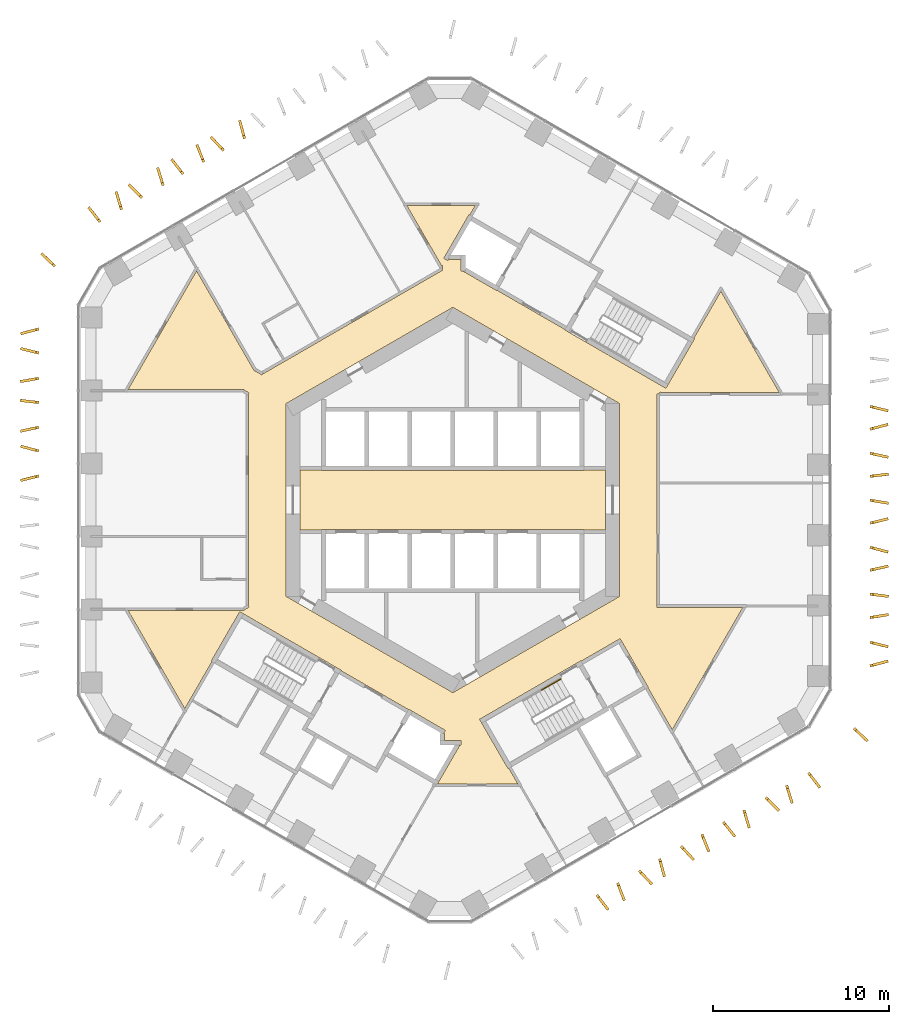
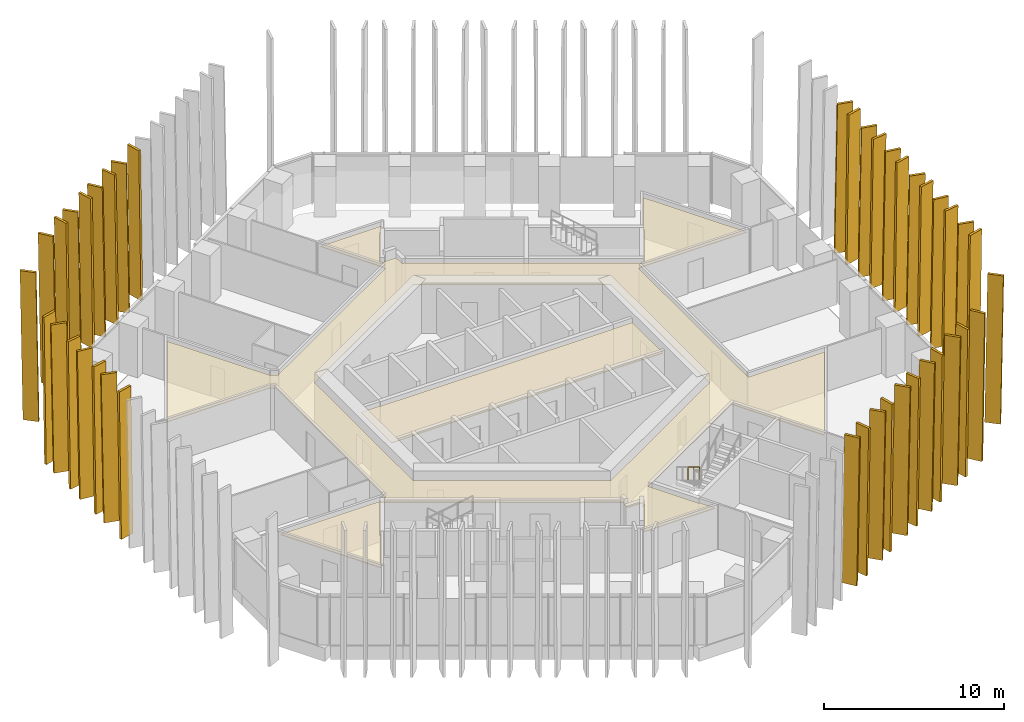
# One storey, part 19 of 20: 40 shading devices, 2 coverings, 1 railing.
"""IFC4 building model written with IfcOpenShell, lengths in metres."""

from ifc_helpers import new_model, si_unit, direction, frame, origin, origin_2d, place, context, subcontext, project, spatial, polyline, circle, outline, extrude, material, layer, layer_set, type_object, element, save


model = new_model("IFC4")

# Units and contexts
model_context = context("Model", 3, precision=1e-05, world=origin(), true_north=direction((0.0, 1.0)))
body_context = subcontext(model_context, "Body", "Model", "MODEL_VIEW")
ifc_project = project(units=[si_unit("LENGTHUNIT", "METRE"), si_unit("AREAUNIT", "SQUARE_METRE"), si_unit("VOLUMEUNIT", "CUBIC_METRE"), si_unit("PLANEANGLEUNIT", "RADIAN"), si_unit("MASSUNIT", "GRAM", prefix="KILO")], contexts=[model_context])

# Site, building, storey
site_placement = place(None, origin())
site = spatial("IfcSite", under=ifc_project, at=site_placement, CompositionType="ELEMENT")
building_placement = place(site_placement, origin())
building = spatial("IfcBuilding", under=site, at=building_placement, Name="Ayvan Gate Tower", CompositionType="ELEMENT")
storey_placement = place(building_placement, frame((0.0, 0.0, 35.699951171875)))
storey = spatial("IfcBuildingStorey", under=building, at=storey_placement, Name="L08", CompositionType="ELEMENT", Elevation=35.699951171875)

# Shading devices
ifc_material_1 = material(Name="Bronze anodised aluminium", Category="aluminium")
ifc_layer_1 = layer(ifc_material_1, 0.14990234375)
ifc_layer_set_1 = layer_set([ifc_layer_1], Name="Bronze anodised aluminium")
shading_device_type = type_object("IfcShadingDeviceType", Name="Bronze fin 900 x 150", PredefinedType="USERDEFINED", material=ifc_layer_set_1)
shading_device_1_placement = place(storey_placement, frame((-11.787353515625, 20.5966796875, 0.0), z_axis=(0.965903234069, 0.258903295962, 0.000160481772), x_axis=(-0.258903299299, 0.965903246507, 2.1022e-08)))
element("IfcShadingDevice", 1, at=shading_device_1_placement, inside=storey, type_object=shading_device_type, Name="Bronze fin FG02.1.8", ObjectType="FIN", PredefinedType="USERDEFINED", context=body_context, shape_type="SweptSolid", body=[
    extrude(outline(polyline([(0.0, 0.0), (0.9001059842872889, -6.776263578034403e-21), (1.067076299516622, 10.080078232371017), (0.1670335240426385, 10.080078270213892), (0.0, 0.0)])), origin(), (0.0, 0.0, -1.0), 0.14990234375),
])
shading_device_2_placement = place(storey_placement, frame((-12.991943359375, 19.94384765625, 0.0), z_axis=(0.729131032332, 0.684374105124, 0.000148076832), x_axis=(-0.684374112627, 0.729131040325, 0.0)))
element("IfcShadingDevice", 2, at=shading_device_2_placement, inside=storey, type_object=shading_device_type, Name="Bronze fin FG02.1.9", ObjectType="FIN", PredefinedType="USERDEFINED", context=body_context, shape_type="SweptSolid", body=[
    extrude(outline(polyline([(0.0, 0.0), (0.9000439752325704, 0.0), (1.0671896832974253, 10.08007823551167), (0.16714570806485485, 10.08007823551167), (0.0, 0.0)])), origin(), (0.0, 0.0, -1.0), 0.14990234375),
])
shading_device_3_placement = place(storey_placement, frame((-14.11328125, 19.265380859375, 0.0), z_axis=(0.929845274917, 0.367950733788, 0.000149060092), x_axis=(-0.367950737878, 0.929845285246, 1.8797e-08)))
element("IfcShadingDevice", 3, at=shading_device_3_placement, inside=storey, type_object=shading_device_type, Name="Bronze fin FG02.1.10", ObjectType="FIN", PredefinedType="USERDEFINED", context=body_context, shape_type="SweptSolid", body=[
    extrude(outline(polyline([(0.0, 0.0), (0.9001022434387806, 0.0), (1.0671154335204562, 10.080078216925534), (0.16710302180479047, 10.080078250762426), (0.0, 0.0)])), origin(), (0.0, 0.0, -1.0), 0.14990234375),
])
shading_device_4_placement = place(storey_placement, frame((-15.298828125, 18.605712890625, 0.0), z_axis=(0.787610878537, 0.616172932873, 0.000144241284), x_axis=(-0.616172939283, 0.78761088673, 3.353e-09)))
element("IfcShadingDevice", 4, at=shading_device_4_placement, inside=storey, type_object=shading_device_type, Name="Bronze fin FG02.1.11", ObjectType="FIN", PredefinedType="USERDEFINED", context=body_context, shape_type="SweptSolid", body=[
    extrude(outline(polyline([(0.0, 0.0), (0.9001872395298831, 0.0), (1.067145646509007, 10.080078226282307), (0.16730112763977162, 10.080078232318373), (0.0, 0.0)])), origin(), (0.0, 0.0, -1.0), 0.14990234375),
])
shading_device_5_placement = place(storey_placement, frame((-16.422119140625, 17.924560546875, 0.0), z_axis=(0.956068899392, 0.293142010724, 0.000145477977), x_axis=(-0.293142013824, 0.95606890951, -1.8868e-08)))
element("IfcShadingDevice", 5, at=shading_device_5_placement, inside=storey, type_object=shading_device_type, Name="Bronze fin FG02.1.12", ObjectType="FIN", PredefinedType="USERDEFINED", context=body_context, shape_type="SweptSolid", body=[
    extrude(outline(polyline([(0.0, 0.0), (0.8998486845806556, -6.776263578034403e-21), (1.0670832099096126, 10.080078251800373), (0.16716295745448825, 10.080078217842242), (0.0, 0.0)])), origin(), (0.0, 0.0, -1.0), 0.14990234375),
])
shading_device_6_placement = place(storey_placement, frame((-17.64501953125, 17.259521484375, 0.0), z_axis=(0.707174585255, 0.7070389553, 0.000147163494), x_axis=(-0.707038962958, 0.707174592911, 1.4114e-08)))
element("IfcShadingDevice", 6, at=shading_device_6_placement, inside=storey, type_object=shading_device_type, Name="Bronze fin FG02.1.13", ObjectType="FIN", PredefinedType="USERDEFINED", context=body_context, shape_type="SweptSolid", body=[
    extrude(outline(polyline([(0.0, 0.0), (0.9001110205447482, 0.0), (1.0672202493648535, 10.080078219090183), (0.16728184575442104, 10.08007824449553), (0.0, 0.0)])), origin(), (0.0, 0.0, -1.0), 0.14990234375),
])
shading_device_7_placement = place(storey_placement, frame((-18.79248046875, 16.555419921875, 0.0), z_axis=(0.957527130096, 0.288343155607, 0.000140515008), x_axis=(-0.288343158453, 0.957527139549, 0.0)))
element("IfcShadingDevice", 7, at=shading_device_7_placement, inside=storey, type_object=shading_device_type, Name="Bronze fin FG02.1.14", ObjectType="FIN", PredefinedType="USERDEFINED", context=body_context, shape_type="SweptSolid", body=[
    extrude(outline(polyline([(0.0, 0.0), (0.9000438427842659, 0.0), (1.0672207007996868, 10.080078224512889), (0.16717685801542093, 10.080078224512889), (0.0, 0.0)])), origin(), (0.0, 0.0, -1.0), 0.14990234375),
])
shading_device_8_placement = place(storey_placement, frame((-20.0224609375, 15.87890625, 0.0), z_axis=(0.784559802436, 0.620053140318, 0.000139939084), x_axis=(-0.62005314639, 0.784559810117, 1.1769e-08)))
element("IfcShadingDevice", 8, at=shading_device_8_placement, inside=storey, type_object=shading_device_type, Name="Bronze fin FG02.1.15", ObjectType="FIN", PredefinedType="USERDEFINED", context=body_context, shape_type="SweptSolid", body=[
    extrude(outline(polyline([(0.0, 0.0), (0.8999971834735883, 0.0), (1.067223312457859, 10.080078211138748), (0.16703458606187888, 10.080078232325004), (0.0, 0.0)])), origin(), (0.0, 0.0, -1.0), 0.14990234375),
])
shading_device_9_placement = place(storey_placement, frame((-22.605712890625, 13.359619140625, 0.0), z_axis=(0.690088544255, 0.723724935563, 0.000136865766), x_axis=(-0.723724942342, 0.690088550718, 0.0)))
element("IfcShadingDevice", 9, at=shading_device_9_placement, inside=storey, type_object=shading_device_type, Name="Bronze fin FG02.2.16", ObjectType="FIN", PredefinedType="USERDEFINED", context=body_context, shape_type="SweptSolid", body=[
    extrude(outline(polyline([(0.0, 0.0), (0.9000203660144157, 0.0), (1.0670370134667295, 10.080078219411213), (0.16701664745231398, 10.080078219411213), (0.0, 0.0)])), origin(), (0.0, 0.0, -1.0), 0.14990234375),
])
shading_device_10_placement = place(storey_placement, frame((-23.591552734375, 9.81298828125, 0.0), z_axis=(-0.256041654658, 0.966665738562, 0.000144812212), x_axis=(-0.966665748698, -0.256041657343, 0.0)))
element("IfcShadingDevice", 10, at=shading_device_10_placement, inside=storey, type_object=shading_device_type, Name="Bronze fin FG02.3.17", ObjectType="FIN", PredefinedType="USERDEFINED", context=body_context, shape_type="SweptSolid", body=[
    extrude(outline(polyline([(0.0, 0.0), (0.9001220832250882, 0.0), (1.067197994875353, 10.080078230692527), (0.16707591165026484, 10.080078230692527), (0.0, 0.0)])), origin(), (0.0, 0.0, -1.0), 0.14990234375),
])
shading_device_11_placement = place(storey_placement, frame((-23.554443359375, 8.437255859375, 0.0), z_axis=(0.242280262921, 0.970206293624, 0.000148363886), x_axis=(-0.970206304302, 0.242280265588, 0.0)))
element("IfcShadingDevice", 11, at=shading_device_11_placement, inside=storey, type_object=shading_device_type, Name="Bronze fin FG02.3.18", ObjectType="FIN", PredefinedType="USERDEFINED", context=body_context, shape_type="SweptSolid", body=[
    extrude(outline(polyline([(0.0, 0.0), (0.8998569388068062, 0.0), (1.0670742828397557, 10.080078235940547), (0.16721734403294952, 10.080078235940547), (0.0, 0.0)])), origin(), (0.0, 0.0, -1.0), 0.14990234375),
])
shading_device_12_placement = place(storey_placement, frame((-23.58642578125, 7.000244140625, 0.0), z_axis=(-0.170224854779, 0.985405235034, 0.000146911974), x_axis=(-0.985405245667, -0.170224856619, 2.303e-08)))
element("IfcShadingDevice", 12, at=shading_device_12_placement, inside=storey, type_object=shading_device_type, Name="Bronze fin FG02.3.19", ObjectType="FIN", PredefinedType="USERDEFINED", context=body_context, shape_type="SweptSolid", body=[
    extrude(outline(polyline([(0.0, 0.0), (0.8998762358938277, 3.3881317890172014e-21), (1.067095845017504, 10.080078209204066), (0.16702059047400628, 10.080078250657845), (0.0, 0.0)])), origin(), (0.0, 0.0, -1.0), 0.14990234375),
])
shading_device_13_placement = place(storey_placement, frame((-23.5654296875, 5.622802734375, 0.0), z_axis=(0.115684456841, 0.993286004575, 0.00013986131), x_axis=(-0.99328601429, 0.11568445797, 1.8841e-08)))
element("IfcShadingDevice", 13, at=shading_device_13_placement, inside=storey, type_object=shading_device_type, Name="Bronze fin FG02.3.20", ObjectType="FIN", PredefinedType="USERDEFINED", context=body_context, shape_type="SweptSolid", body=[
    extrude(outline(polyline([(0.0, 0.0), (0.9000720125550132, 0.0), (1.0673057048230457, 10.080078203480001), (0.16720544899216105, 10.080078237397107), (0.0, 0.0)])), origin(), (0.0, 0.0, -1.0), 0.14990234375),
])
shading_device_14_placement = place(storey_placement, frame((-23.5888671875, 4.214599609375, 0.0), z_axis=(-0.208231898754, 0.978079472325, 0.000148854226), x_axis=(-0.97807948316, -0.208231901064, 1.975e-08)))
element("IfcShadingDevice", 14, at=shading_device_14_placement, inside=storey, type_object=shading_device_type, Name="Bronze fin FG02.3.21", ObjectType="FIN", PredefinedType="USERDEFINED", context=body_context, shape_type="SweptSolid", body=[
    extrude(outline(polyline([(0.0, 0.0), (0.8998775968775182, 0.0), (1.0669128096550808, 10.080078215603798), (0.16708605064403326, 10.080078251147537), (0.0, 0.0)])), origin(), (0.0, 0.0, -1.0), 0.14990234375),
])
shading_device_15_placement = place(storey_placement, frame((-23.55322265625, 2.8603515625, 0.0), z_axis=(0.256235549641, 0.966614360372, 0.000146362995), x_axis=(-0.966614370726, 0.256235552383, 1.9191e-08)))
element("IfcShadingDevice", 15, at=shading_device_15_placement, inside=storey, type_object=shading_device_type, Name="Bronze fin FG02.3.22", ObjectType="FIN", PredefinedType="USERDEFINED", context=body_context, shape_type="SweptSolid", body=[
    extrude(outline(polyline([(0.0, 0.0), (0.8998860752802869, -6.776263578034403e-21), (1.0669823067431834, 10.080078212491454), (0.16703367395499055, 10.080078247032835), (0.0, 0.0)])), origin(), (0.0, 0.0, -1.0), 0.14990234375),
])
shading_device_16_placement = place(storey_placement, frame((-23.5908203125, 1.441650390625, 0.0), z_axis=(-0.242790931619, 0.970078627339, 0.000142490221), x_axis=(-0.970078637187, -0.242790934083, 0.0)))
element("IfcShadingDevice", 16, at=shading_device_16_placement, inside=storey, type_object=shading_device_type, Name="Bronze fin FG02.3.23", ObjectType="FIN", PredefinedType="USERDEFINED", context=body_context, shape_type="SweptSolid", body=[
    extrude(outline(polyline([(0.0, 0.0), (0.8999753644008668, -6.776263578034403e-21), (1.0671926927986783, 10.080078227330251), (0.16721732839781167, 10.080078227330251), (0.0, 0.0)])), origin(), (0.0, 0.0, -1.0), 0.14990234375),
])
shading_device_17_placement = place(storey_placement, frame((8.13671875, -22.53466796875, 0.0), z_axis=(-0.792946579389, -0.609291145162, 0.000150540817), x_axis=(0.609291152066, -0.792946588374, 0.0)))
element("IfcShadingDevice", 17, at=shading_device_17_placement, inside=storey, type_object=shading_device_type, Name="Bronze fin FG02.7.53", ObjectType="FIN", PredefinedType="USERDEFINED", context=body_context, shape_type="SweptSolid", body=[
    extrude(outline(polyline([(0.0, 0.0), (0.8999635755267726, 0.0), (1.0670824908845553, 10.080078239220077), (0.16711891535778267, 10.080078239220077), (0.0, 0.0)])), origin(), (0.0, 0.0, -1.0), 0.14990234375),
])
shading_device_18_placement = place(storey_placement, frame((9.30859375, -21.8330078125, 0.0), z_axis=(-0.933079688041, -0.359669670449, 0.000154673779), x_axis=(0.359669674751, -0.933079699203, 0.0)))
element("IfcShadingDevice", 18, at=shading_device_18_placement, inside=storey, type_object=shading_device_type, Name="Bronze fin FG02.7.54", ObjectType="FIN", PredefinedType="USERDEFINED", context=body_context, shape_type="SweptSolid", body=[
    extrude(outline(polyline([(0.0, 0.0), (0.9000771860297079, 6.776263578034403e-21), (1.067087793141591, 10.080078245577784), (0.16701060711188323, 10.080078245577784), (0.0, 0.0)])), origin(), (0.0, 0.0, -1.0), 0.14990234375),
])
shading_device_19_placement = place(storey_placement, frame((10.5458984375, -21.15087890625, 0.0), z_axis=(-0.725310874745, -0.688421466007, 0.000141837668), x_axis=(0.688421472932, -0.725310882041, 0.0)))
element("IfcShadingDevice", 19, at=shading_device_19_placement, inside=storey, type_object=shading_device_type, Name="Bronze fin FG02.7.55", ObjectType="FIN", PredefinedType="USERDEFINED", context=body_context, shape_type="SweptSolid", body=[
    extrude(outline(polyline([(0.0, 0.0), (0.9000720207219932, 0.0), (1.0673735065524417, 10.080078226395125), (0.1673014858304484, 10.080078226395125), (0.0, 0.0)])), origin(), (0.0, 0.0, -1.0), 0.14990234375),
])
shading_device_20_placement = place(storey_placement, frame((11.6982421875, -20.442626953125, 0.0), z_axis=(-0.965860212433, -0.259063755898, 0.00014289556), x_axis=(0.259063758542, -0.965860222294, -5.02e-09)))
element("IfcShadingDevice", 20, at=shading_device_20_placement, inside=storey, type_object=shading_device_type, Name="Bronze fin FG02.7.56", ObjectType="FIN", PredefinedType="USERDEFINED", context=body_context, shape_type="SweptSolid", body=[
    extrude(outline(polyline([(0.0, 0.0), (0.9001059914543592, 0.0), (1.0670762910200555, 10.080078233270463), (0.16720610528402996, 10.080078224233791), (0.0, 0.0)])), origin(), (0.0, 0.0, -1.0), 0.14990234375),
])
shading_device_21_placement = place(storey_placement, frame((12.943603515625, -19.765869140625, 0.0), z_axis=(-0.733778195775, -0.67938909106, 0.000149513068), x_axis=(0.679389098652, -0.733778203978, -1.4882e-08)))
element("IfcShadingDevice", 21, at=shading_device_21_placement, inside=storey, type_object=shading_device_type, Name="Bronze fin FG02.7.57", ObjectType="FIN", PredefinedType="USERDEFINED", context=body_context, shape_type="SweptSolid", body=[
    extrude(outline(polyline([(0.0, 0.0), (0.8999170763633888, 0.0), (1.0670884160882872, 10.080078253545881), (0.1670054732457353, 10.080078226758884), (0.0, 0.0)])), origin(), (0.0, 0.0, -1.0), 0.14990234375),
])
shading_device_22_placement = place(storey_placement, frame((14.1083984375, -19.063720703125, 0.0), z_axis=(-0.925577192777, -0.378558901676, 0.000134807732), x_axis=(0.378558905114, -0.925577201188, -1.6925e-08)))
element("IfcShadingDevice", 22, at=shading_device_22_placement, inside=storey, type_object=shading_device_type, Name="Bronze fin FG02.7.58", ObjectType="FIN", PredefinedType="USERDEFINED", context=body_context, shape_type="SweptSolid", body=[
    extrude(outline(polyline([(0.0, 0.0), (0.8999411823943508, 0.0), (1.0672464075445252, 10.080078234656186), (0.16721280354248055, 10.080078204191985), (0.0, 0.0)])), origin(), (0.0, 0.0, -1.0), 0.14990234375),
])
shading_device_23_placement = place(storey_placement, frame((15.335693359375, -18.379638671875, 0.0), z_axis=(-0.780233289745, -0.625488602869, 0.00014578838), x_axis=(0.625488609515, -0.780233298038, -1.2366e-08)))
element("IfcShadingDevice", 23, at=shading_device_23_placement, inside=storey, type_object=shading_device_type, Name="Bronze fin FG02.7.59", ObjectType="FIN", PredefinedType="USERDEFINED", context=body_context, shape_type="SweptSolid", body=[
    extrude(outline(polyline([(0.0, 0.0), (0.9001728349600663, -1.3552527156068805e-20), (1.067252841140706, 10.080078245319825), (0.16727049282566867, 10.080078223059248), (0.0, 0.0)])), origin(), (0.0, 0.0, -1.0), 0.14990234375),
])
shading_device_24_placement = place(storey_placement, frame((16.4990234375, -17.673828125, 0.0), z_axis=(-0.958243414593, -0.285953725646, 0.000158676448), x_axis=(0.285953729246, -0.958243426657, 0.0)))
element("IfcShadingDevice", 24, at=shading_device_24_placement, inside=storey, type_object=shading_device_type, Name="Bronze fin FG02.7.60", ObjectType="FIN", PredefinedType="USERDEFINED", context=body_context, shape_type="SweptSolid", body=[
    extrude(outline(polyline([(0.0, 0.0), (0.8998806185487997, 0.0), (1.0669836103312735, 10.08007825189919), (0.16710299178247365, 10.08007825189919), (0.0, 0.0)])), origin(), (0.0, 0.0, -1.0), 0.14990234375),
])
shading_device_25_placement = place(storey_placement, frame((17.7568359375, -16.989501953125, 0.0), z_axis=(-0.707310186928, -0.706903297079, 0.000167471189), x_axis=(0.706903306994, -0.707310196845, 1.6058e-08)))
element("IfcShadingDevice", 25, at=shading_device_25_placement, inside=storey, type_object=shading_device_type, Name="Bronze fin FG02.7.61", ObjectType="FIN", PredefinedType="USERDEFINED", context=body_context, shape_type="SweptSolid", body=[
    extrude(outline(polyline([(0.0, 0.0), (0.8999384036136087, 0.0), (1.067219964799506, 10.080078249218307), (0.16710887803237068, 10.080078278123898), (0.0, 0.0)])), origin(), (0.0, 0.0, -1.0), 0.14990234375),
])
shading_device_26_placement = place(storey_placement, frame((18.931396484375, -16.2705078125, 0.0), z_axis=(-0.955449932083, -0.295153187424, 0.000152434307), x_axis=(0.295153190853, -0.955449943184, 0.0)))
element("IfcShadingDevice", 26, at=shading_device_26_placement, inside=storey, type_object=shading_device_type, Name="Bronze fin FG02.7.62", ObjectType="FIN", PredefinedType="USERDEFINED", context=body_context, shape_type="SweptSolid", body=[
    extrude(outline(polyline([(0.0, 0.0), (0.8999563895361912, -6.776263578034403e-21), (1.067032860887032, 10.08007824211145), (0.16707647135084086, 10.08007824211145), (0.0, 0.0)])), origin(), (0.0, 0.0, -1.0), 0.14990234375),
])
shading_device_27_placement = place(storey_placement, frame((20.186279296875, -15.578125, 0.0), z_axis=(-0.791174609073, -0.611590315843, 0.000153377547), x_axis=(0.611590323036, -0.79117461838, -3.737e-09)))
element("IfcShadingDevice", 27, at=shading_device_27_placement, inside=storey, type_object=shading_device_type, Name="Bronze fin FG02.7.63", ObjectType="FIN", PredefinedType="USERDEFINED", context=body_context, shape_type="SweptSolid", body=[
    extrude(outline(polyline([(0.0, 0.0), (0.8998021912400371, -1.3552527156068805e-20), (1.0670302399151064, 10.080078247552485), (0.16688557676554386, 10.080078240826548), (0.0, 0.0)])), origin(), (0.0, 0.0, -1.0), 0.14990234375),
])
shading_device_28_placement = place(storey_placement, frame((22.7841796875, -13.05126953125, 0.0), z_axis=(-0.685982089757, -0.727618408768, 0.000154123233), x_axis=(0.727618417411, -0.685982097903, 1.4337e-08)))
element("IfcShadingDevice", 28, at=shading_device_28_placement, inside=storey, type_object=shading_device_type, Name="Bronze fin FG02.8.64", ObjectType="FIN", PredefinedType="USERDEFINED", context=body_context, shape_type="SweptSolid", body=[
    extrude(outline(polyline([(0.0, 0.0), (0.900158432498066, -1.3552527156068805e-20), (1.06721085267147, 10.08007822941986), (0.16723006138859237, 10.08007825522927), (0.0, 0.0)])), origin(), (0.0, 0.0, -1.0), 0.14990234375),
])
shading_device_29_placement = place(storey_placement, frame((23.769775390625, -9.519775390625, 0.0), z_axis=(0.257730189627, -0.966216916165, 0.000142375961), x_axis=(0.966216925958, 0.257730192239, -4.977e-09)))
element("IfcShadingDevice", 29, at=shading_device_29_placement, inside=storey, type_object=shading_device_type, Name="Bronze fin FG02.9.65", ObjectType="FIN", PredefinedType="USERDEFINED", context=body_context, shape_type="SweptSolid", body=[
    extrude(outline(polyline([(0.0, 0.0), (0.9000264582252868, 0.0), (1.0669316446776413, 10.080078232476186), (0.1671410792565437, 10.080078223518722), (0.0, 0.0)])), origin(), (0.0, 0.0, -1.0), 0.14990234375),
])
shading_device_30_placement = place(storey_placement, frame((23.73291015625, -8.174560546875, 0.0), z_axis=(-0.236946810805, -0.971522613507, 0.000142456898), x_axis=(0.971522623366, -0.236946813206, 2.3347e-08)))
element("IfcShadingDevice", 30, at=shading_device_30_placement, inside=storey, type_object=shading_device_type, Name="Bronze fin FG02.9.66", ObjectType="FIN", PredefinedType="USERDEFINED", context=body_context, shape_type="SweptSolid", body=[
    extrude(outline(polyline([(0.0, 0.0), (0.9001095226623654, 0.0), (1.0671592494182305, 10.080078202367268), (0.16722906655326722, 10.080078244393064), (0.0, 0.0)])), origin(), (0.0, 0.0, -1.0), 0.14990234375),
])
shading_device_31_placement = place(storey_placement, frame((23.763671875, -6.76953125, 0.0), z_axis=(0.158942491493, -0.987287831116, 0.000151422176), x_axis=(0.987287842434, 0.158942493315, 0.0)))
element("IfcShadingDevice", 31, at=shading_device_31_placement, inside=storey, type_object=shading_device_type, Name="Bronze fin FG02.9.67", ObjectType="FIN", PredefinedType="USERDEFINED", context=body_context, shape_type="SweptSolid", body=[
    extrude(outline(polyline([(0.0, 0.0), (0.9001142694198919, 0.0), (1.0672767890425625, 10.080078240561424), (0.16716251962267045, 10.080078240561424), (0.0, 0.0)])), origin(), (0.0, 0.0, -1.0), 0.14990234375),
])
shading_device_32_placement = place(storey_placement, frame((23.742431640625, -5.43115234375, 0.0), z_axis=(-0.128307005503, -0.991734486511, 0.000143541364), x_axis=(0.991734496728, -0.128307006825, 0.0)))
element("IfcShadingDevice", 32, at=shading_device_32_placement, inside=storey, type_object=shading_device_type, Name="Bronze fin FG02.9.68", ObjectType="FIN", PredefinedType="USERDEFINED", context=body_context, shape_type="SweptSolid", body=[
    extrude(outline(polyline([(0.0, 0.0), (0.9000172202794061, 0.0), (1.0672292887204313, 10.080078228845586), (0.16721206844102535, 10.080078228845586), (0.0, 0.0)])), origin(), (0.0, 0.0, -1.0), 0.14990234375),
])
shading_device_33_placement = place(storey_placement, frame((23.767333984375, -4.069580078125, 0.0), z_axis=(0.216600145357, -0.976260392162, 0.000154038307), x_axis=(0.976260403743, 0.21660014793, 2.0396e-08)))
element("IfcShadingDevice", 33, at=shading_device_33_placement, inside=storey, type_object=shading_device_type, Name="Bronze fin FG02.9.69", ObjectType="FIN", PredefinedType="USERDEFINED", context=body_context, shape_type="SweptSolid", body=[
    extrude(outline(polyline([(0.0, 0.0), (0.9000548611493163, 0.0), (1.0671747230070985, 10.080078222823424), (0.16717274275327296, 10.08007825953658), (0.0, 0.0)])), origin(), (0.0, 0.0, -1.0), 0.14990234375),
])
shading_device_34_placement = place(storey_placement, frame((23.73095703125, -2.763916015625, 0.0), z_axis=(-0.257823030457, -0.966192145699, 0.000150186697), x_axis=(0.966192156595, -0.257823033367, -1.968e-08)))
element("IfcShadingDevice", 34, at=shading_device_34_placement, inside=storey, type_object=shading_device_type, Name="Bronze fin FG02.9.70", ObjectType="FIN", PredefinedType="USERDEFINED", context=body_context, shape_type="SweptSolid", body=[
    extrude(outline(polyline([(0.0, 0.0), (0.9000893961237623, 0.0), (1.0671827806349035, 10.080078259685227), (0.16715632958764695, 10.080078224259411), (0.0, 0.0)])), origin(), (0.0, 0.0, -1.0), 0.14990234375),
])
shading_device_35_placement = place(storey_placement, frame((23.7685546875, -1.393798828125, 0.0), z_axis=(0.237873948709, -0.971296020895, 0.000155943604), x_axis=(0.971296032706, 0.237873951601, 0.0)))
element("IfcShadingDevice", 35, at=shading_device_35_placement, inside=storey, type_object=shading_device_type, Name="Bronze fin FG02.9.71", ObjectType="FIN", PredefinedType="USERDEFINED", context=body_context, shape_type="SweptSolid", body=[
    extrude(outline(polyline([(0.0, 0.0), (0.9001041378596171, 0.0), (1.0671378213323737, 10.080078247565728), (0.1670336834727566, 10.080078247565728), (0.0, 0.0)])), origin(), (0.0, 0.0, -1.0), 0.14990234375),
])
shading_device_36_placement = place(storey_placement, frame((23.739501953125, -0.085205078125, 0.0), z_axis=(-0.163431185391, -0.986554724093, 0.00015495926), x_axis=(0.986554735938, -0.16343118735, 2.0735e-08)))
element("IfcShadingDevice", 36, at=shading_device_36_placement, inside=storey, type_object=shading_device_type, Name="Bronze fin FG02.9.72", ObjectType="FIN", PredefinedType="USERDEFINED", context=body_context, shape_type="SweptSolid", body=[
    extrude(outline(polyline([(0.0, 0.0), (0.9000207884254398, 0.0), (1.0670704865319738, 10.080078223897988), (0.16700979791430998, 10.080078261222008), (0.0, 0.0)])), origin(), (0.0, 0.0, -1.0), 0.14990234375),
])
shading_device_37_placement = place(storey_placement, frame((23.76123046875, 1.270751953125, 0.0), z_axis=(0.121931150102, -0.992538549996, 0.000146312471), x_axis=(0.992538560619, 0.12193115141, 1.9696e-08)))
element("IfcShadingDevice", 37, at=shading_device_37_placement, inside=storey, type_object=shading_device_type, Name="Bronze fin FG02.9.73", ObjectType="FIN", PredefinedType="USERDEFINED", context=body_context, shape_type="SweptSolid", body=[
    extrude(outline(polyline([(0.0, 0.0), (0.9000409207616651, -6.776263578034403e-21), (1.0672250927200357, 10.080078211873838), (0.16721394030588277, 10.08007824732754), (0.0, 0.0)])), origin(), (0.0, 0.0, -1.0), 0.14990234375),
])
shading_device_38_placement = place(storey_placement, frame((23.735107421875, 2.586181640625, 0.0), z_axis=(-0.212131188653, -0.977241185579, 0.000154946648), x_axis=(0.97724119731, -0.212131191199, 4.458e-09)))
element("IfcShadingDevice", 38, at=shading_device_38_placement, inside=storey, type_object=shading_device_type, Name="Bronze fin FG02.9.74", ObjectType="FIN", PredefinedType="USERDEFINED", context=body_context, shape_type="SweptSolid", body=[
    extrude(outline(polyline([(0.0, 0.0), (0.9001188050358092, 6.776263578034403e-21), (1.0671691033312671, 10.08007824124663), (0.16728888257214503, 10.08007824927023), (0.0, 0.0)])), origin(), (0.0, 0.0, -1.0), 0.14990234375),
])
shading_device_39_placement = place(storey_placement, frame((23.769775390625, 3.9560546875, 0.0), z_axis=(0.256936438081, -0.966428291916, 0.000152874927), x_axis=(0.966428303209, 0.256936441083, 0.0)))
element("IfcShadingDevice", 39, at=shading_device_39_placement, inside=storey, type_object=shading_device_type, Name="Bronze fin FG02.9.75", ObjectType="FIN", PredefinedType="USERDEFINED", context=body_context, shape_type="SweptSolid", body=[
    extrude(outline(polyline([(0.0, 0.0), (0.8998379945645463, 1.3552527156068805e-20), (1.0669779145828833, 10.080078242789462), (0.16713992001833694, 10.080078242789462), (0.0, 0.0)])), origin(), (0.0, 0.0, -1.0), 0.14990234375),
])
shading_device_40_placement = place(storey_placement, frame((23.732666015625, 5.2587890625, 0.0), z_axis=(-0.240907527514, -0.970548062705, 0.000145485797), x_axis=(0.970548072977, -0.240907530063, 4.754e-09)))
element("IfcShadingDevice", 40, at=shading_device_40_placement, inside=storey, type_object=shading_device_type, Name="Bronze fin FG02.9.76", ObjectType="FIN", PredefinedType="USERDEFINED", context=body_context, shape_type="SweptSolid", body=[
    extrude(outline(polyline([(0.0, 0.0), (0.9000358622575365, 6.776263578034403e-21), (1.0669594369830173, 10.080078226606178), (0.1671605249386099, 10.080078235161844), (0.0, 0.0)])), origin(), (0.0, 0.0, -1.0), 0.14990234375),
])

# Coverings
ifc_material_2 = material(Name="Plasterboard suspended ceiling")
ifc_layer_2 = layer(ifc_material_2, 0.050048828125)
ifc_layer_set_2 = layer_set([ifc_layer_2], Name="Plasterboard suspended ceiling")
covering_type = type_object("IfcCoveringType", Name="CT-SUSP-50", PredefinedType="CEILING", material=ifc_layer_set_2)
covering_1_placement = place(storey_placement, frame((0.0, 0.0, 2.699951171875)))
element("IfcCovering", 41, at=covering_1_placement, inside=storey, type_object=covering_type, Name="Ceiling Lift Lobby L08", PredefinedType="CEILING", context=body_context, shape_type="SweptSolid", body=[
    extrude(outline(polyline([(7.47509765625, -1.675048828125), (-7.47509765625, -1.675048828125), (-7.47509765625, -1.699951171875), (-8.699951171875, -1.699951171875), (-8.699951171875, 1.699951171875), (-7.47509765625, 1.699951171875), (-7.47509765625, 1.675048828125), (7.47509765625, 1.675048828125), (7.47509765625, 1.699951171875), (8.699951171875, 1.699951171875), (8.699951171875, -1.699951171875), (7.47509765625, -1.699951171875), (7.47509765625, -1.675048828125)])), origin(), (0.0, 0.0, 1.0), 0.050048828125),
])
covering_2_placement = place(storey_placement, frame((0.0, 0.0, 2.699951171875)))
element("IfcCovering", 42, at=covering_2_placement, inside=storey, type_object=covering_type, Name="Ceiling Ring Corridor L08", PredefinedType="CEILING", context=body_context, shape_type="SweptSolid", body=[
    extrude(outline(polyline([(-11.914794921875, -6.48681640625), (-12.131103515625, -6.36181640625), (-13.756103515625, -9.17626953125), (-13.712890625, -9.201416015625), (-15.26123046875, -11.883056640625), (-18.486083984375, -6.29736328125), (-11.902587890625, -6.29736328125), (-11.902587890625, -6.2021484375), (-11.875, -6.25), (-11.597412109375, -6.089599609375), (-11.656494140625, -5.9873046875), (-11.625, -5.9873046875), (-11.625, 5.9873046875), (-11.656494140625, 5.9873046875), (-11.597412109375, 6.089599609375), (-11.875, 6.25), (-11.902587890625, 6.2021484375), (-11.902587890625, 6.29736328125), (-18.486083984375, 6.29736328125), (-14.58984375, 13.045654296875), (-11.2978515625, 7.34375), (-11.27099609375, 7.359375), (-10.86474609375, 7.119140625), (-10.80419921875, 7.221435546875), (-10.788818359375, 7.194580078125), (-0.583984375, 13.086181640625), (-0.621337890625, 13.151123046875), (-0.60009765625, 13.16357421875), (-0.60009765625, 13.36083984375), (-0.6279296875, 13.3125), (-2.6171875, 16.758056640625), (1.27490234375, 16.758056640625), (0.962158203125, 16.216552734375), (0.918701171875, 16.241455078125), (-0.511474609375, 13.76416015625), (-0.294921875, 13.63916015625), (-0.215576171875, 13.776611328125), (-0.215576171875, 13.68505859375), (0.47509765625, 13.68505859375), (0.47509765625, 13.03857421875), (0.672119140625, 13.03857421875), (0.645751953125, 12.992919921875), (2.518310546875, 11.91162109375), (2.53076171875, 11.933349609375), (6.384521484375, 9.70849609375), (6.3720703125, 9.686767578125), (6.588623046875, 9.561767578125), (12.131103515625, 6.36181640625), (12.24609375, 6.56103515625), (13.631103515625, 8.959716796875), (13.756103515625, 9.176513671875), (13.712890625, 9.201416015625), (15.26123046875, 11.88330078125), (18.593017578125, 6.1123046875), (11.8427734375, 6.1123046875), (11.870849609375, 6.160888671875), (11.699951171875, 6.062255859375), (11.699951171875, 6.03759765625), (11.625, 6.03759765625), (11.625, -6.1123046875), (16.514404296875, -6.1123046875), (12.489990234375, -13.0830078125), (11.102294921875, -10.6796875), (11.123779296875, -10.667236328125), (9.623779296875, -8.069091796875), (9.52392578125, -7.89599609375), (7.2939453125, -9.183349609375), (7.281494140625, -9.16162109375), (1.522216796875, -12.48681640625), (1.647216796875, -12.703369140625), (3.147216796875, -15.30126953125), (3.190673828125, -15.2763671875), (3.69970703125, -16.158203125), (-0.87060546875, -16.158203125), (-0.803955078125, -16.042236328125), (0.386474609375, -13.980712890625), (0.30712890625, -13.93505859375), (0.465576171875, -13.93505859375), (0.465576171875, -13.68505859375), (-0.47509765625, -13.68505859375), (-0.47509765625, -13.28857421875), (-0.52783203125, -13.28857421875), (-0.42919921875, -13.117919921875), (-2.284423828125, -12.046630859375), (-2.518310546875, -11.91162109375), (-2.53076171875, -11.933349609375), (-6.384521484375, -9.70849609375), (-6.3720703125, -9.686767578125), (-11.91455078125, -6.48681640625), (-11.914794921875, -6.48681640625)]), holes=[polyline([(-2.808349609375, -9.34814453125), (0.0, -10.9697265625), (2.808349609375, -9.34814453125), (9.5, -5.48486328125), (9.5, 5.48486328125), (2.808349609375, 9.34814453125), (0.0, 10.9697265625), (-2.808349609375, 9.34814453125), (-9.5, 5.48486328125), (-9.5, -5.48486328125), (-2.808349609375, -9.34814453125)])]), origin(), (0.0, 0.0, 1.0), 0.050048828125),
])

# Railing
ifc_material_3 = material(Name="Stainless steel balustrade", Category="steel")
railing_type = type_object("IfcRailingType", Name="RL-HANDRAIL-900", PredefinedType="HANDRAIL", material=ifc_material_3)
railing_placement = place(storey_placement, frame((6.142333984375, -10.18896484375, 0.170166015625)))
element("IfcRailing", 43, at=railing_placement, inside=storey, type_object=railing_type, Name="L08 STS3 stair handrail 1", PredefinedType="HANDRAIL", context=body_context, shape_type="SweptSolid", body=[
    extrude(circle(Radius=0.02392578125, at=origin_2d()), frame((0.0, 0.0, 0.8759765625), z_axis=(-0.740281741151, -0.427372318678, 0.518975765278), x_axis=(0.499974077718, -0.866040369504, 0.0)), (0.0, 0.0, 1.0), 1.473876953125),
    extrude(circle(Radius=0.02099609375, at=origin_2d()), origin(), (0.0, 0.0, 1.0), 0.851806640625),
    extrude(circle(Radius=0.02099609375, at=origin_2d()), frame((-0.54541015625, -0.31494140625, 0.38232421875)), (0.0, 0.0, 1.0), 0.851806640625),
    extrude(circle(Radius=0.02099609375, at=origin_2d()), frame((-1.091064453125, -0.6298828125, 0.764892578125)), (0.0, 0.0, 1.0), 0.851806640625),
])

save(model, "model.ifc")
